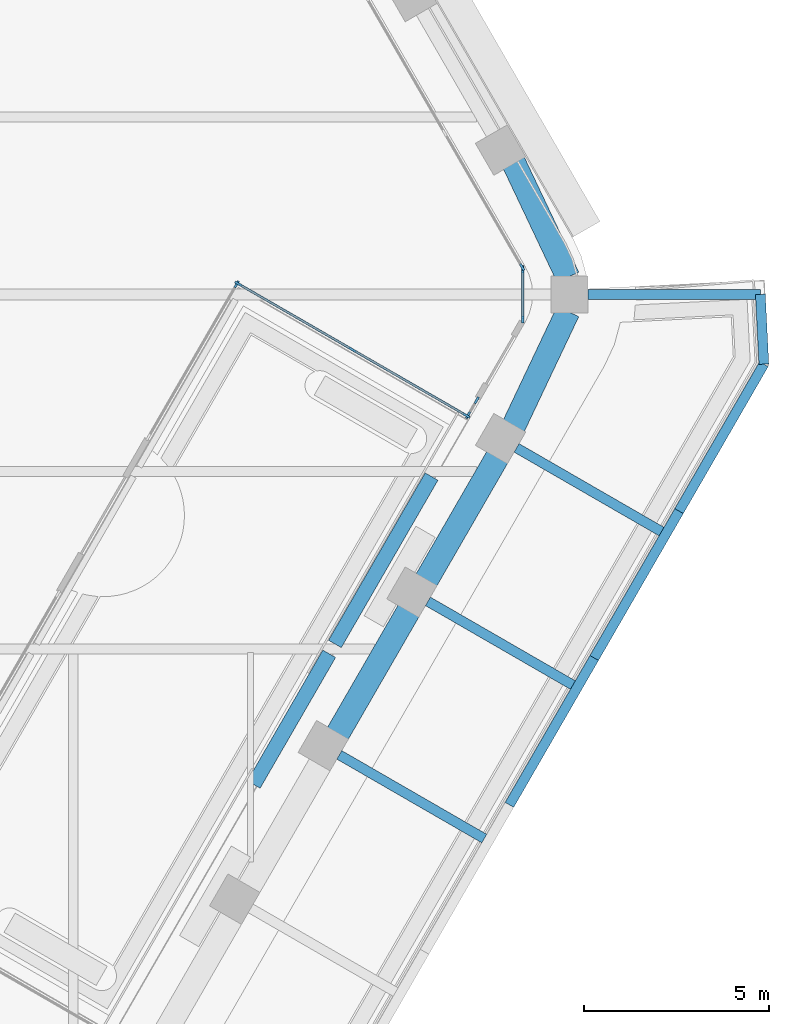
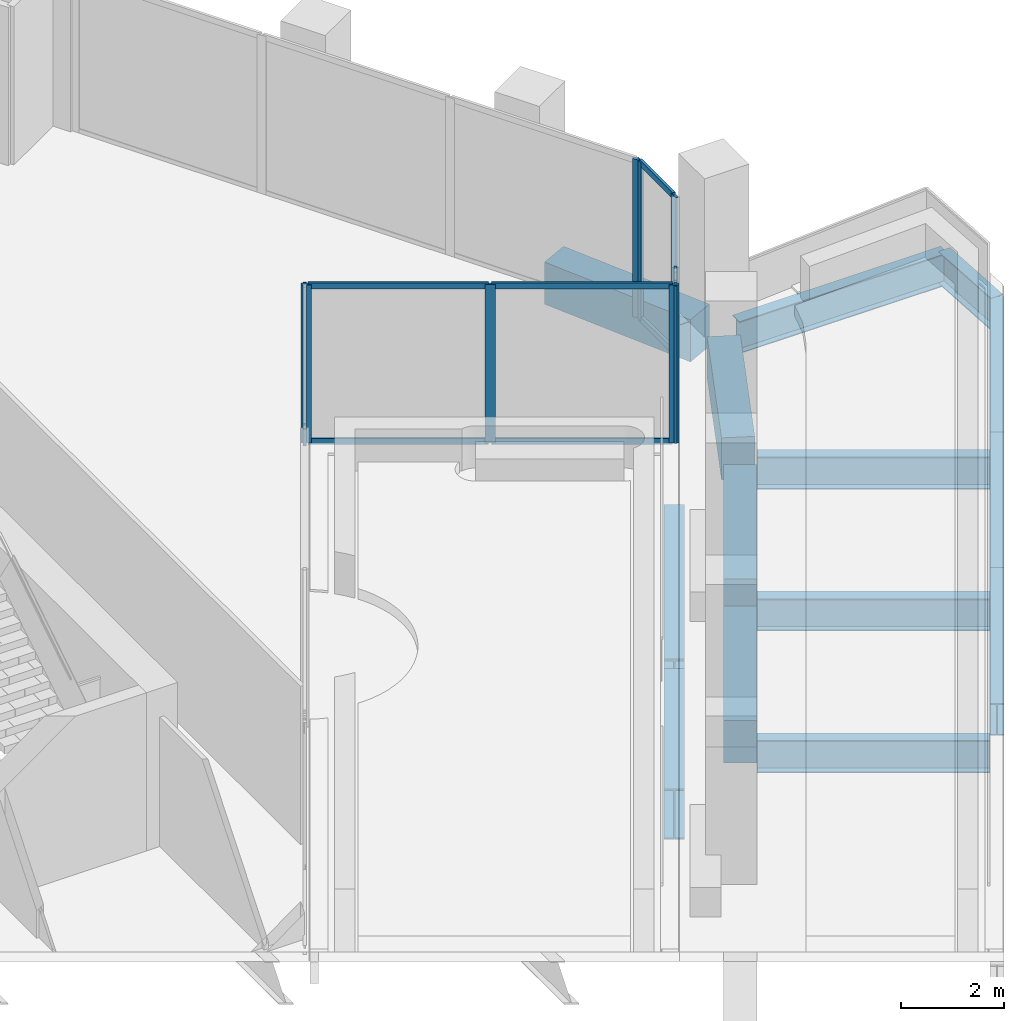
# One storey, part 5 of 17: 15 members, 14 beams, 5 elements without a shape of their own.
"""IFC4 building model written with IfcOpenShell, lengths in metres."""

from ifc_helpers import new_model, si_unit, direction, frame, origin, origin_2d, place, context, subcontext, project, spatial, rectangle, i_section, extrude, material, material_profile, profile_set, type_object, element, aggregate, save


model = new_model("IFC4")

# Units and contexts
model_context = context("Model", 3, precision=1e-05, world=origin(), true_north=direction((0.0, 1.0)))
body_context = subcontext(model_context, "Body", "Model", "MODEL_VIEW")
ifc_project = project(units=[si_unit("LENGTHUNIT", "METRE"), si_unit("AREAUNIT", "SQUARE_METRE"), si_unit("VOLUMEUNIT", "CUBIC_METRE"), si_unit("PLANEANGLEUNIT", "RADIAN"), si_unit("MASSUNIT", "GRAM", prefix="KILO")], contexts=[model_context])

# Site, building, storey
site_placement = place(None, origin())
site = spatial("IfcSite", under=ifc_project, at=site_placement, CompositionType="ELEMENT")
building_placement = place(site_placement, origin())
building = spatial("IfcBuilding", under=site, at=building_placement, Name="Kolab Exchange Tower", CompositionType="ELEMENT")
storey_placement = place(building_placement, frame((0.0, 0.0, 197.300048828125)))
storey = spatial("IfcBuildingStorey", under=building, at=storey_placement, Name="L42", CompositionType="ELEMENT", Elevation=197.300048828125)

# Beams
ifc_material_1 = material(Name="Steel S355", Category="steel")
ifc_material_profile_1 = material_profile(ifc_material_1, i_section(OverallWidth=0.39990234375, OverallDepth=1.199951171875, WebThickness=0.02490234375, FlangeThickness=0.0400390625, at=origin_2d()), Name="PG1200X400")
ifc_profile_set_1 = profile_set([ifc_material_profile_1], Name="Steel S355")
beam_type_1 = type_object("IfcBeamType", Name="FLOOR BEAM PG1200X400", PredefinedType="BEAM", material=ifc_profile_set_1)
beam_1_placement = place(storey_placement, frame((19.282470703125, -13.27490234375, -0.75), z_axis=(0.499998074415, 0.866026515518, 0.0), x_axis=(-0.866026515518, 0.499998074415, 0.0)))
element("IfcBeam", 1, at=beam_1_placement, inside=storey, type_object=beam_type_1, Name="beam/L42/fr/027", PredefinedType="BEAM", context=body_context, shape_type="SweptSolid", body=[
    extrude(i_section(OverallWidth=0.39990234375, OverallDepth=1.199951171875, WebThickness=0.02490234375, FlangeThickness=0.0400390625, at=origin_2d()), origin(), (0.0, 0.0, 1.0), 4.08935546875),
])
beam_2_placement = place(storey_placement, frame((21.481201171875, -9.466552734375, -0.75), z_axis=(0.500011808253, 0.866018586179, 0.0), x_axis=(-0.866018586179, 0.500011808253, 0.0)))
element("IfcBeam", 2, at=beam_2_placement, inside=storey, type_object=beam_type_1, Name="beam/L42/fr/028", PredefinedType="BEAM", context=body_context, shape_type="SweptSolid", body=[
    extrude(i_section(OverallWidth=0.39990234375, OverallDepth=1.199951171875, WebThickness=0.02490234375, FlangeThickness=0.0400390625, at=origin_2d()), origin(), (0.0, 0.0, 1.0), 5.234130859375),
])
ifc_material_profile_2 = material_profile(ifc_material_1, i_section(OverallWidth=0.26708984375, OverallDepth=0.761962890625, WebThickness=0.014404296875, FlangeThickness=0.021484375, at=origin_2d()), Name="W760X173")
ifc_profile_set_2 = profile_set([ifc_material_profile_2], Name="Steel S355")
beam_type_2 = type_object("IfcBeamType", Name="FLOOR GIRDER W760X173", PredefinedType="BEAM", material=ifc_profile_set_2)
beam_3_placement = place(storey_placement, frame((28.3359375, 0.0, -0.591064453125), z_axis=(1.0, 0.0, 0.0), x_axis=(0.0, 1.0, 0.0)))
element("IfcBeam", 3, at=beam_3_placement, inside=storey, type_object=beam_type_2, Name="beam/L42/ledge/rib-00", PredefinedType="BEAM", context=body_context, shape_type="SweptSolid", body=[
    extrude(i_section(OverallWidth=0.26708984375, OverallDepth=0.761962890625, WebThickness=0.014404296875, FlangeThickness=0.021484375, at=origin_2d()), origin(), (0.0, 0.0, 1.0), 4.66650390625),
])
beam_4_placement = place(storey_placement, frame((26.39990234375, -4.156982421875, -0.591064453125), z_axis=(0.866043881399, -0.499967994467, 0.0), x_axis=(0.499967994467, 0.866043881399, 0.0)))
element("IfcBeam", 4, at=beam_4_placement, inside=storey, type_object=beam_type_2, Name="beam/L42/ledge/rib-01", PredefinedType="BEAM", context=body_context, shape_type="SweptSolid", body=[
    extrude(i_section(OverallWidth=0.26708984375, OverallDepth=0.761962890625, WebThickness=0.014404296875, FlangeThickness=0.021484375, at=origin_2d()), origin(), (0.0, 0.0, 1.0), 4.532958984375),
])
beam_5_placement = place(storey_placement, frame((24.0, -8.313720703125, -0.591064453125), z_axis=(0.866020560687, -0.500008388397, 0.0), x_axis=(0.500008388397, 0.866020560687, 0.0)))
element("IfcBeam", 5, at=beam_5_placement, inside=storey, type_object=beam_type_2, Name="beam/L42/ledge/rib-02", PredefinedType="BEAM", context=body_context, shape_type="SweptSolid", body=[
    extrude(i_section(OverallWidth=0.26708984375, OverallDepth=0.761962890625, WebThickness=0.014404296875, FlangeThickness=0.021484375, at=origin_2d()), origin(), (0.0, 0.0, 1.0), 4.533203125),
])
beam_6_placement = place(storey_placement, frame((21.60009765625, -12.470703125, -0.591064453125), z_axis=(0.866007095043, -0.500031710329, 0.0), x_axis=(0.500031710329, 0.866007095043, 0.0)))
element("IfcBeam", 6, at=beam_6_placement, inside=storey, type_object=beam_type_2, Name="beam/L42/ledge/rib-03", PredefinedType="BEAM", context=body_context, shape_type="SweptSolid", body=[
    extrude(i_section(OverallWidth=0.26708984375, OverallDepth=0.761962890625, WebThickness=0.014404296875, FlangeThickness=0.021484375, at=origin_2d()), origin(), (0.0, 0.0, 1.0), 4.532958984375),
])
beam_7_placement = place(storey_placement, frame((33.002685546875, 0.0, -0.591064453125), z_axis=(0.049931181973, -0.998752660606, 0.0), x_axis=(0.998752660606, 0.049931181973, 0.0)))
element("IfcBeam", 7, at=beam_7_placement, inside=storey, type_object=beam_type_2, Name="beam/L42/ledge/edge-00", PredefinedType="BEAM", context=body_context, shape_type="SweptSolid", body=[
    extrude(i_section(OverallWidth=0.26708984375, OverallDepth=0.761962890625, WebThickness=0.014404296875, FlangeThickness=0.021484375, at=origin_2d()), origin(), (0.0, 0.0, 1.0), 1.892333984375),
])
beam_8_placement = place(storey_placement, frame((33.09716796875, -1.889892578125, -0.591064453125), z_axis=(-0.499980071345, -0.866036909293, 0.0), x_axis=(0.866036909293, -0.499980071345, 0.0)))
element("IfcBeam", 8, at=beam_8_placement, inside=storey, type_object=beam_type_2, Name="beam/L42/ledge/edge-01", PredefinedType="BEAM", context=body_context, shape_type="SweptSolid", body=[
    extrude(i_section(OverallWidth=0.26708984375, OverallDepth=0.761962890625, WebThickness=0.014404296875, FlangeThickness=0.021484375, at=origin_2d()), origin(), (0.0, 0.0, 1.0), 4.593994140625),
])
beam_9_placement = place(storey_placement, frame((30.80029296875, -5.868408203125, -0.591064453125), z_axis=(-0.500026097828, -0.866010335672, 0.0), x_axis=(0.866010335672, -0.500026097828, 0.0)))
element("IfcBeam", 9, at=beam_9_placement, inside=storey, type_object=beam_type_2, Name="beam/L42/ledge/edge-02", PredefinedType="BEAM", context=body_context, shape_type="SweptSolid", body=[
    extrude(i_section(OverallWidth=0.26708984375, OverallDepth=0.761962890625, WebThickness=0.014404296875, FlangeThickness=0.021484375, at=origin_2d()), origin(), (0.0, 0.0, 1.0), 4.593505859375),
])
beam_10_placement = place(storey_placement, frame((28.50341796875, -9.846435546875, -0.591064453125), z_axis=(-0.500003083703, -0.8660236234, 0.0), x_axis=(0.8660236234, -0.500003083703, 0.0)))
element("IfcBeam", 10, at=beam_10_placement, inside=storey, type_object=beam_type_2, Name="beam/L42/ledge/edge-03", PredefinedType="BEAM", context=body_context, shape_type="SweptSolid", body=[
    extrude(i_section(OverallWidth=0.26708984375, OverallDepth=0.761962890625, WebThickness=0.014404296875, FlangeThickness=0.021484375, at=origin_2d()), origin(), (0.0, 0.0, 1.0), 4.59375),
])
ifc_material_2 = material(Name="Concrete C60/75", Category="concrete")
ifc_material_profile_3 = material_profile(ifc_material_2, rectangle(XDim=0.64990234375, YDim=1.0, at=origin_2d()), Name="RC650X1000")
ifc_profile_set_3 = profile_set([ifc_material_profile_3], Name="Concrete C60/75")
beam_type_3 = type_object("IfcBeamType", Name="SPANDREL BEAM 650X1000 C60/75", PredefinedType="BEAM", material=ifc_profile_set_3)
for number, where, z_axis, x_axis, name in (
    (11, (26.316162109375, 3.5771484375, -0.650146484375), (0.428177731975, -0.903694544545, 0.0), (0.903694544545, 0.428177731975, 0.0), "beam/L42/sp/F2-06"),
    (12, (27.791259765625, -0.4638671875, -0.650146484375), (-0.428177731975, -0.903694544545, 0.0), (0.903694544545, -0.428177731975, 0.0), "beam/L42/sp/F3-01"),
):
    element("IfcBeam", number, at=place(storey_placement, frame(where, z_axis=z_axis, x_axis=x_axis)), inside=storey, type_object=beam_type_3, Name=name, PredefinedType="BEAM", context=body_context, shape_type="SweptSolid", body=[
        extrude(rectangle(XDim=0.64990234375, YDim=1.0, at=origin_2d()), origin(), (0.0, 0.0, 1.0), 3.445068359375),
    ])
for number, where, z_axis, x_axis, name in (
    (13, (25.888427734375, -4.392822265625, -0.650146484375), (-0.499996613652, -0.866027358884, 0.0), (0.866027358884, -0.499996613652, 0.0), "beam/L42/sp/F3-02"),
    (14, (23.488525390625, -8.5498046875, -0.650146484375), (-0.499996613652, -0.866027358884, 0.0), (0.866027358884, -0.499996613652, 0.0), "beam/L42/sp/F3-03"),
):
    element("IfcBeam", number, at=place(storey_placement, frame(where, z_axis=z_axis, x_axis=x_axis)), inside=storey, type_object=beam_type_3, Name=name, PredefinedType="BEAM", context=body_context, shape_type="SweptSolid", body=[
        extrude(rectangle(XDim=0.64990234375, YDim=1.0, at=origin_2d()), origin(), (0.0, 0.0, 1.0), 3.8798828125),
    ])

# Curtain wall, member
ifc_material_3 = material(Name="Aluminium EN AW-6063 T6", Category="aluminium")
curtain_wall_type = type_object("IfcCurtainWallType", Name="UNITISED UPPER MID ZONE CURTAIN WALL", PredefinedType="NOTDEFINED", material=ifc_material_3)
curtain_wall_1_placement = place(storey_placement, origin())
curtain_wall_1 = element("IfcCurtainWall", 15, at=curtain_wall_1_placement, inside=storey, type_object=curtain_wall_type, Name="cw/L42/F2-2", PredefinedType="NOTDEFINED")
ifc_material_profile_4 = material_profile(ifc_material_3, rectangle(XDim=0.06005859375, YDim=0.199951171875, at=origin_2d()), Name="RECT 60X200")
ifc_profile_set_4 = profile_set([ifc_material_profile_4], Name="Aluminium EN AW-6063 T6")
member_type_1 = type_object("IfcMemberType", Name="UNITISED UPPER MID ZONE MULLION 60 X 200", PredefinedType="MULLION", material=ifc_profile_set_4)
member_1_placement = place(storey_placement, frame((26.550537109375, 0.736083984375, 0.0), z_axis=(0.0, 0.0, 1.0), x_axis=(0.866025427826, 0.499999958358, 0.0)))
member_1 = element("IfcMember", 16, at=member_1_placement, type_object=member_type_1, Name="CW3 mullion 4", PredefinedType="MULLION", context=body_context, shape_type="SweptSolid", body=[
    extrude(rectangle(XDim=0.06005859375, YDim=0.199951171875, at=origin_2d()), origin(), (0.0, 0.0, 1.0), 3.75),
])
aggregate(curtain_wall_1, [member_1])

# Curtain wall, members
curtain_wall_2_placement = place(storey_placement, origin())
curtain_wall_2 = element("IfcCurtainWall", 17, at=curtain_wall_2_placement, inside=storey, type_object=curtain_wall_type, Name="cw/L42/F3-l-1", PredefinedType="NOTDEFINED")
member_2_placement = place(storey_placement, frame((25.320556640625, -2.866455078125, 0.0), z_axis=(0.0, 0.0, 1.0), x_axis=(0.866025697436, -0.49999949138, 0.0)))
member_2 = element("IfcMember", 18, at=member_2_placement, type_object=member_type_1, Name="CW3 mullion 1", PredefinedType="MULLION", context=body_context, shape_type="SweptSolid", body=[
    extrude(rectangle(XDim=0.06005859375, YDim=0.199951171875, at=origin_2d()), origin(), (0.0, 0.0, 1.0), 3.75),
])
member_3_placement = place(storey_placement, frame((25.086669921875, -3.271728515625, 0.0), z_axis=(0.0, 0.0, 1.0), x_axis=(0.866025697436, -0.49999949138, 0.0)))
member_3 = element("IfcMember", 19, at=member_3_placement, type_object=member_type_1, Name="CW3 mullion 2", PredefinedType="MULLION", context=body_context, shape_type="SweptSolid", body=[
    extrude(rectangle(XDim=0.06005859375, YDim=0.199951171875, at=origin_2d()), origin(), (0.0, 0.0, 1.0), 3.75),
])
aggregate(curtain_wall_2, [member_2, member_3])

curtain_wall_3_placement = place(storey_placement, origin())
curtain_wall_3 = element("IfcCurtainWall", 20, at=curtain_wall_3_placement, inside=storey, type_object=curtain_wall_type, Name="cw/L42/F3-rl-1", PredefinedType="NOTDEFINED")
member_4_placement = place(storey_placement, frame((25.045654296875, -3.28271484375, 0.0), z_axis=(0.0, 0.0, 1.0), x_axis=(-0.499999994423, -0.866025407005, 0.0)))
member_4 = element("IfcMember", 21, at=member_4_placement, type_object=member_type_1, Name="CW3 mullion 1", PredefinedType="MULLION", context=body_context, shape_type="SweptSolid", body=[
    extrude(rectangle(XDim=0.06005859375, YDim=0.199951171875, at=origin_2d()), origin(), (0.0, 0.0, 1.0), 3.75),
])
member_5_placement = place(storey_placement, frame((21.9541015625, -1.49755859375, 0.0), z_axis=(0.0, 0.0, 1.0), x_axis=(-0.499999994423, -0.866025407005, 0.0)))
member_5 = element("IfcMember", 22, at=member_5_placement, type_object=member_type_1, Name="CW3 mullion 2", PredefinedType="MULLION", context=body_context, shape_type="SweptSolid", body=[
    extrude(rectangle(XDim=0.06005859375, YDim=0.199951171875, at=origin_2d()), origin(), (0.0, 0.0, 1.0), 3.75),
])
member_6_placement = place(storey_placement, frame((18.8623046875, 0.287353515625, 0.0), z_axis=(0.0, 0.0, 1.0), x_axis=(-0.499999994423, -0.866025407005, 0.0)))
member_6 = element("IfcMember", 23, at=member_6_placement, type_object=member_type_1, Name="CW3 mullion 3", PredefinedType="MULLION", context=body_context, shape_type="SweptSolid", body=[
    extrude(rectangle(XDim=0.06005859375, YDim=0.199951171875, at=origin_2d()), origin(), (0.0, 0.0, 1.0), 3.75),
])

# Curtain wall, member
curtain_wall_4_placement = place(storey_placement, origin())
curtain_wall_4 = element("IfcCurtainWall", 24, at=curtain_wall_4_placement, inside=storey, type_object=curtain_wall_type, Name="cw/L42/F3-back-1", PredefinedType="NOTDEFINED")
member_7_placement = place(storey_placement, frame((18.8212890625, 0.2763671875, 0.0), z_axis=(0.0, 0.0, 1.0), x_axis=(0.866025406141, -0.499999995919, 0.0)))
member_7 = element("IfcMember", 25, at=member_7_placement, type_object=member_type_1, Name="CW3 mullion 1", PredefinedType="MULLION", context=body_context, shape_type="SweptSolid", body=[
    extrude(rectangle(XDim=0.06005859375, YDim=0.199951171875, at=origin_2d()), origin(), (0.0, 0.0, 1.0), 3.75),
])
aggregate(curtain_wall_4, [member_7])

# Curtain wall, members
curtain_wall_5_placement = place(storey_placement, origin())
curtain_wall_5 = element("IfcCurtainWall", 26, at=curtain_wall_5_placement, inside=storey, type_object=curtain_wall_type, Name="cw/L42/F2F3-corner", PredefinedType="NOTDEFINED")
member_8_placement = place(storey_placement, frame((26.565673828125, 0.679931640625, 0.0), z_axis=(0.0, 0.0, 1.0), x_axis=(1.0, 0.0, 0.0)))
member_8 = element("IfcMember", 27, at=member_8_placement, type_object=member_type_1, Name="CW3 mullion 1", PredefinedType="MULLION", context=body_context, shape_type="SweptSolid", body=[
    extrude(rectangle(XDim=0.06005859375, YDim=0.199951171875, at=origin_2d()), origin(), (0.0, 0.0, 1.0), 3.75),
])
member_9_placement = place(storey_placement, frame((26.565673828125, -0.679931640625, 0.0), z_axis=(0.0, 0.0, 1.0), x_axis=(1.0, 0.0, 0.0)))
member_9 = element("IfcMember", 28, at=member_9_placement, type_object=member_type_1, Name="CW3 mullion 2", PredefinedType="MULLION", context=body_context, shape_type="SweptSolid", body=[
    extrude(rectangle(XDim=0.06005859375, YDim=0.199951171875, at=origin_2d()), origin(), (0.0, 0.0, 1.0), 3.75),
])

# Member
ifc_material_profile_5 = material_profile(ifc_material_3, rectangle(XDim=0.06005859375, YDim=0.139892578125, at=origin_2d()), Name="RECT 60X140")
ifc_profile_set_5 = profile_set([ifc_material_profile_5], Name="Aluminium EN AW-6063 T6")
member_type_2 = type_object("IfcMemberType", Name="UNITISED UPPER MID ZONE TRANSOM 60 X 140", PredefinedType="USERDEFINED", material=ifc_profile_set_5)
member_10_placement = place(storey_placement, frame((25.019775390625, -3.267578125, 0.030029296875), z_axis=(-0.866043119098, 0.499969314921, 0.0), x_axis=(-0.499969314921, -0.866043119098, 0.0)))
member_10 = element("IfcMember", 29, at=member_10_placement, type_object=member_type_2, Name="CW3 transom 1.1", ObjectType="TRANSOM", PredefinedType="USERDEFINED", context=body_context, shape_type="SweptSolid", body=[
    extrude(rectangle(XDim=0.06005859375, YDim=0.139892578125, at=origin_2d()), origin(), (0.0, 0.0, 1.0), 3.510009765625),
])

member_11_placement = place(storey_placement, frame((25.019775390625, -3.267578125, 3.719970703125), z_axis=(-0.866043119098, 0.499969314921, 0.0), x_axis=(-0.499969314921, -0.866043119098, 0.0)))
member_11 = element("IfcMember", 30, at=member_11_placement, type_object=member_type_2, Name="CW3 transom 1.2", ObjectType="TRANSOM", PredefinedType="USERDEFINED", context=body_context, shape_type="SweptSolid", body=[
    extrude(rectangle(XDim=0.06005859375, YDim=0.139892578125, at=origin_2d()), origin(), (0.0, 0.0, 1.0), 3.510009765625),
])

member_12_placement = place(storey_placement, frame((21.927978515625, -1.482666015625, 0.030029296875), z_axis=(-0.866013001128, 0.500021481416, 0.0), x_axis=(-0.500021481416, -0.866013001128, 0.0)))
member_12 = element("IfcMember", 31, at=member_12_placement, type_object=member_type_2, Name="CW3 transom 2.1", ObjectType="TRANSOM", PredefinedType="USERDEFINED", context=body_context, shape_type="SweptSolid", body=[
    extrude(rectangle(XDim=0.06005859375, YDim=0.139892578125, at=origin_2d()), origin(), (0.0, 0.0, 1.0), 3.510009765625),
])

member_13_placement = place(storey_placement, frame((21.927978515625, -1.482666015625, 3.719970703125), z_axis=(-0.866013001128, 0.500021481416, 0.0), x_axis=(-0.500021481416, -0.866013001128, 0.0)))
member_13 = element("IfcMember", 32, at=member_13_placement, type_object=member_type_2, Name="CW3 transom 2.2", ObjectType="TRANSOM", PredefinedType="USERDEFINED", context=body_context, shape_type="SweptSolid", body=[
    extrude(rectangle(XDim=0.06005859375, YDim=0.139892578125, at=origin_2d()), origin(), (0.0, 0.0, 1.0), 3.510009765625),
])

aggregate(curtain_wall_3, [member_4, member_5, member_6, member_10, member_11, member_12, member_13])

member_14_placement = place(storey_placement, frame((26.565673828125, 0.64990234375, 0.030029296875), z_axis=(0.0, -1.0, 0.0), x_axis=(1.0, 0.0, 0.0)))
member_14 = element("IfcMember", 33, at=member_14_placement, type_object=member_type_2, Name="CW3 transom 1.1", ObjectType="TRANSOM", PredefinedType="USERDEFINED", context=body_context, shape_type="SweptSolid", body=[
    extrude(rectangle(XDim=0.06005859375, YDim=0.139892578125, at=origin_2d()), origin(), (0.0, 0.0, 1.0), 1.2998046875),
])

member_15_placement = place(storey_placement, frame((26.565673828125, 0.64990234375, 3.719970703125), z_axis=(0.0, -1.0, 0.0), x_axis=(1.0, 0.0, 0.0)))
member_15 = element("IfcMember", 34, at=member_15_placement, type_object=member_type_2, Name="CW3 transom 1.2", ObjectType="TRANSOM", PredefinedType="USERDEFINED", context=body_context, shape_type="SweptSolid", body=[
    extrude(rectangle(XDim=0.06005859375, YDim=0.139892578125, at=origin_2d()), origin(), (0.0, 0.0, 1.0), 1.2998046875),
])

aggregate(curtain_wall_5, [member_8, member_9, member_14, member_15])

save(model, "model.ifc")
